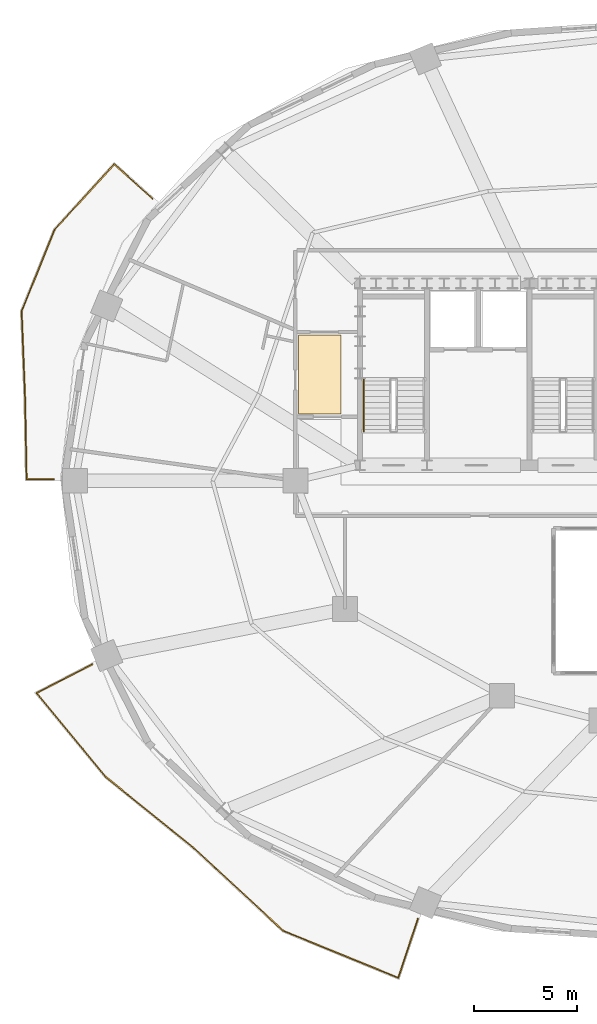
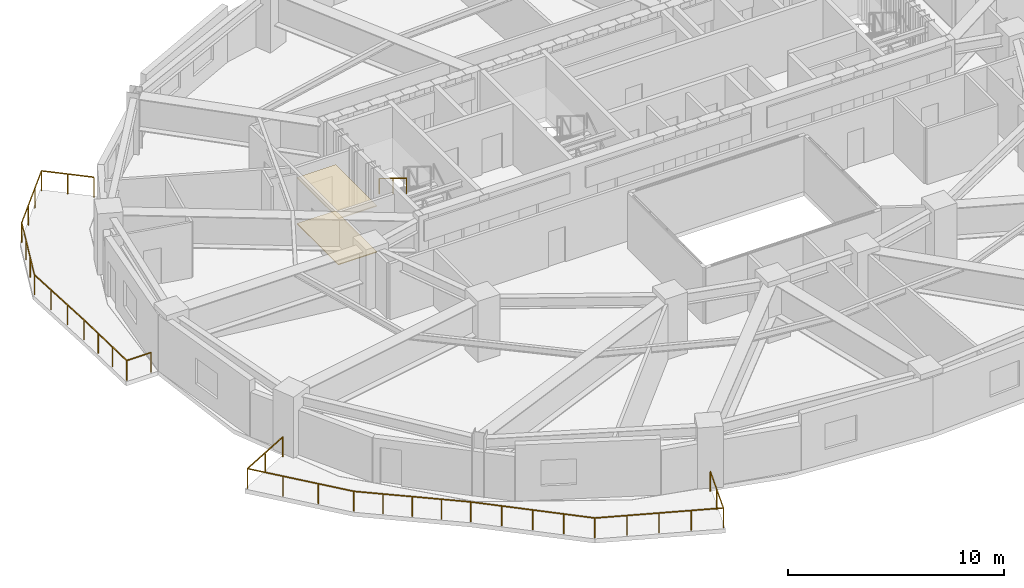
# One storey, part 10 of 13: 3 railings, 2 coverings.
"""IFC4 building model written with IfcOpenShell, lengths in metres."""

from ifc_helpers import new_model, si_unit, direction, frame, origin, origin_2d, place, context, subcontext, project, spatial, polyline, rectangle, outline, extrude, material, layer, layer_set, type_object, element, save


model = new_model("IFC4")

# Units and contexts
model_context = context("Model", 3, precision=1e-05, world=origin(), true_north=direction((0.0, 1.0)))
body_context = subcontext(model_context, "Body", "Model", "MODEL_VIEW")
ifc_project = project(units=[si_unit("LENGTHUNIT", "METRE"), si_unit("AREAUNIT", "SQUARE_METRE"), si_unit("VOLUMEUNIT", "CUBIC_METRE"), si_unit("PLANEANGLEUNIT", "RADIAN"), si_unit("MASSUNIT", "GRAM", prefix="KILO")], contexts=[model_context])

# Site, building, storey
site_placement = place(None, origin())
site = spatial("IfcSite", under=ifc_project, at=site_placement, CompositionType="ELEMENT")
building_placement = place(site_placement, origin())
building = spatial("IfcBuilding", under=site, at=building_placement, Name="Haldorwick Loom Tower", CompositionType="ELEMENT")
storey_placement = place(building_placement, frame((0.0, 0.0, 127.699951171875)))
storey = spatial("IfcBuildingStorey", under=building, at=storey_placement, Name="L34", CompositionType="ELEMENT", Elevation=127.699951171875)

# Coverings
ifc_material_1 = material(Name="Mineral Fibre Acoustic Ceiling Tile")
ifc_layer_1 = layer(ifc_material_1, 0.054931640625, Name="Mineral Fibre Acoustic Ceiling Tile")
ifc_layer_set_1 = layer_set([ifc_layer_1], Name="Mineral Fibre Acoustic Ceiling Tile")
covering_type_1 = type_object("IfcCoveringType", Name="ARC-COV-CEIL2", PredefinedType="CEILING", material=ifc_layer_set_1)
covering_1_placement = place(storey_placement, frame((0.0, 0.0, 2.594970703125)))
element("IfcCovering", 1, at=covering_1_placement, inside=storey, type_object=covering_type_1, Name="L34 Acoustic Suspended Ceiling 2", PredefinedType="CEILING", context=body_context, shape_type="SweptSolid", body=[
    extrude(outline(polyline([(18.93994140625, 33.06005859375), (18.93994140625, 29.239990234375), (21.0, 29.239990234375), (21.0, 33.06005859375), (18.93994140625, 33.06005859375)])), origin(), (0.0, 0.0, 1.0), 0.05517578125),
])
ifc_material_2 = material(Name="Polished Aggregate Terrazzo Finish")
ifc_layer_2 = layer(ifc_material_2, 0.044921875, Name="Polished Aggregate Terrazzo Finish")
ifc_layer_set_2 = layer_set([ifc_layer_2], Name="Polished Aggregate Terrazzo Finish")
covering_type_2 = type_object("IfcCoveringType", Name="ARC-COV-FLOOR2", PredefinedType="FLOORING", material=ifc_layer_set_2)
covering_2_placement = place(storey_placement, origin())
element("IfcCovering", 2, at=covering_2_placement, inside=storey, type_object=covering_type_2, Name="L34 Floor Finish 2", PredefinedType="FLOORING", context=body_context, shape_type="SweptSolid", body=[
    extrude(outline(polyline([(18.93994140625, 33.06005859375), (18.93994140625, 29.239990234375), (21.0, 29.239990234375), (21.0, 33.06005859375), (18.93994140625, 33.06005859375)])), origin(), (0.0, 0.0, 1.0), 0.045166015625),
])

# Railings
ifc_material_3 = material(Name="Galvanized Steel CSA G40.21 350W", Category="steel")
railing_type_1 = type_object("IfcRailingType", Name="ARC-RLG-BAL115", PredefinedType="BALUSTRADE", material=ifc_material_3)
railing_1_placement = place(storey_placement, frame((24.729248046875, 4.8056640625, 0.0)))
element("IfcRailing", 3, at=railing_1_placement, inside=storey, type_object=railing_type_1, Name="L34 Outdoor Terrace Guardrail SLB-L34-BAL_SW-1", PredefinedType="BALUSTRADE", context=body_context, shape_type="SweptSolid", body=[
    extrude(rectangle(XDim=0.048095703125, YDim=0.048095703125, at=origin_2d()), frame((0.0, 0.0, 1.1259765625), z_axis=(-0.316422381022, -0.948618404201, 0.0), x_axis=(0.948618404201, -0.316422381022, 0.0)), (0.0, 0.0, 1.0), 3.0107421875),
    extrude(rectangle(XDim=0.048095703125, YDim=0.048095703125, at=origin_2d()), frame((-0.95263671875, -2.85595703125, 1.1259765625), z_axis=(-0.925561844607, 0.378596449807, 0.0), x_axis=(-0.378596449807, -0.925561844607, 0.0)), (0.0, 0.0, 1.0), 6.007568359375),
    extrude(rectangle(XDim=0.048095703125, YDim=0.048095703125, at=origin_2d()), frame((-6.512939453125, -0.58154296875, 1.1259765625), z_axis=(-0.734510984815, 0.678596797212, 0.0), x_axis=(-0.678596797212, -0.734510984815, 0.0)), (0.0, 0.0, 1.0), 5.89013671875),
    extrude(rectangle(XDim=0.048095703125, YDim=0.048095703125, at=origin_2d()), frame((-10.83935546875, 3.41552734375, 1.1259765625), z_axis=(-0.752576694707, 0.658504607869, 0.0), x_axis=(-0.658504607869, -0.752576694707, 0.0)), (0.0, 0.0, 1.0), 0.005126953125),
    extrude(rectangle(XDim=0.048095703125, YDim=0.048095703125, at=origin_2d()), frame((-10.84326171875, 3.4189453125, 1.1259765625), z_axis=(-0.777254203953, 0.62918669919, 0.0), x_axis=(-0.62918669919, -0.777254203953, 0.0)), (0.0, 0.0, 1.0), 5.482421875),
    extrude(rectangle(XDim=0.048095703125, YDim=0.048095703125, at=origin_2d()), frame((-15.1044921875, 6.868408203125, 1.1259765625), z_axis=(-0.636953460821, 0.770902256287, 0.0), x_axis=(-0.770902256287, -0.636953460821, 0.0)), (0.0, 0.0, 1.0), 5.256591796875),
    extrude(rectangle(XDim=0.048095703125, YDim=0.048095703125, at=origin_2d()), frame((-18.45263671875, 10.920654296875, 1.1259765625), z_axis=(0.888445041352, 0.458983015478, 0.0), x_axis=(-0.458983015478, 0.888445041352, 0.0)), (0.0, 0.0, 1.0), 3.03515625),
    extrude(rectangle(XDim=0.0419921875, YDim=0.0419921875, at=origin_2d()), origin(), (0.0, 0.0, 1.0), 1.101806640625),
    extrude(rectangle(XDim=0.0419921875, YDim=0.0419921875, at=origin_2d()), frame((-0.476318359375, -1.427978515625, 0.0)), (0.0, 0.0, 1.0), 1.101806640625),
    extrude(rectangle(XDim=0.0419921875, YDim=0.0419921875, at=origin_2d()), frame((-0.95263671875, -2.85595703125, 0.0)), (0.0, 0.0, 1.0), 1.101806640625),
    extrude(rectangle(XDim=0.0419921875, YDim=0.0419921875, at=origin_2d()), frame((-2.3427734375, -2.287353515625, 0.0)), (0.0, 0.0, 1.0), 1.101806640625),
    extrude(rectangle(XDim=0.0419921875, YDim=0.0419921875, at=origin_2d()), frame((-3.73291015625, -1.71875, 0.0)), (0.0, 0.0, 1.0), 1.101806640625),
    extrude(rectangle(XDim=0.0419921875, YDim=0.0419921875, at=origin_2d()), frame((-5.122802734375, -1.150146484375, 0.0)), (0.0, 0.0, 1.0), 1.101806640625),
    extrude(rectangle(XDim=0.0419921875, YDim=0.0419921875, at=origin_2d()), frame((-6.512939453125, -0.58154296875, 0.0)), (0.0, 0.0, 1.0), 1.101806640625),
    extrude(rectangle(XDim=0.0419921875, YDim=0.0419921875, at=origin_2d()), frame((-7.594482421875, 0.417724609375, 0.0)), (0.0, 0.0, 1.0), 1.101806640625),
    extrude(rectangle(XDim=0.0419921875, YDim=0.0419921875, at=origin_2d()), frame((-8.67626953125, 1.4169921875, 0.0)), (0.0, 0.0, 1.0), 1.101806640625),
    extrude(rectangle(XDim=0.0419921875, YDim=0.0419921875, at=origin_2d()), frame((-9.7578125, 2.416259765625, 0.0)), (0.0, 0.0, 1.0), 1.101806640625),
    extrude(rectangle(XDim=0.0419921875, YDim=0.0419921875, at=origin_2d()), frame((-10.83935546875, 3.41552734375, 0.0)), (0.0, 0.0, 1.0), 1.101806640625),
    extrude(rectangle(XDim=0.0419921875, YDim=0.0419921875, at=origin_2d()), frame((-11.90869140625, 4.28125, 0.0)), (0.0, 0.0, 1.0), 1.101806640625),
    extrude(rectangle(XDim=0.0419921875, YDim=0.0419921875, at=origin_2d()), frame((-12.973876953125, 5.1435546875, 0.0)), (0.0, 0.0, 1.0), 1.101806640625),
    extrude(rectangle(XDim=0.0419921875, YDim=0.0419921875, at=origin_2d()), frame((-14.0390625, 6.006103515625, 0.0)), (0.0, 0.0, 1.0), 1.101806640625),
    extrude(rectangle(XDim=0.0419921875, YDim=0.0419921875, at=origin_2d()), frame((-15.1044921875, 6.868408203125, 0.0)), (0.0, 0.0, 1.0), 1.101806640625),
    extrude(rectangle(XDim=0.0419921875, YDim=0.0419921875, at=origin_2d()), frame((-16.220458984375, 8.21923828125, 0.0)), (0.0, 0.0, 1.0), 1.101806640625),
    extrude(rectangle(XDim=0.0419921875, YDim=0.0419921875, at=origin_2d()), frame((-17.336669921875, 9.56982421875, 0.0)), (0.0, 0.0, 1.0), 1.101806640625),
    extrude(rectangle(XDim=0.0419921875, YDim=0.0419921875, at=origin_2d()), frame((-18.45263671875, 10.920654296875, 0.0)), (0.0, 0.0, 1.0), 1.101806640625),
    extrude(rectangle(XDim=0.0419921875, YDim=0.0419921875, at=origin_2d()), frame((-17.1044921875, 11.6171875, 0.0)), (0.0, 0.0, 1.0), 1.101806640625),
    extrude(rectangle(XDim=0.0419921875, YDim=0.0419921875, at=origin_2d()), frame((-15.756103515625, 12.313720703125, 0.0)), (0.0, 0.0, 1.0), 1.101806640625),
])
railing_2_placement = place(storey_placement, frame((7.09912109375, 26.080078125, 0.0)))
element("IfcRailing", 4, at=railing_2_placement, inside=storey, type_object=railing_type_1, Name="L34 Outdoor Terrace Guardrail SLB-L34-BAL_WNW-1", PredefinedType="BALUSTRADE", context=body_context, shape_type="SweptSolid", body=[
    extrude(rectangle(XDim=0.048095703125, YDim=0.048095703125, at=origin_2d()), frame((0.0, 0.0, 1.1259765625), z_axis=(-1.0, 0.0, 0.0), x_axis=(0.0, -1.0, 0.0)), (0.0, 0.0, 1.0), 1.3046875),
    extrude(rectangle(XDim=0.048095703125, YDim=0.048095703125, at=origin_2d()), frame((-1.3046875, 0.0, 1.1259765625), z_axis=(-0.018706157389, 0.99982502453, 0.0), x_axis=(-0.99982502453, -0.018706157389, 0.0)), (0.0, 0.0, 1.0), 3.837158203125),
    extrude(rectangle(XDim=0.048095703125, YDim=0.048095703125, at=origin_2d()), frame((-1.37646484375, 3.83642578125, 1.1259765625), z_axis=(-0.141421356237, 0.989949493661, 0.0), x_axis=(-0.989949493661, -0.141421356237, 0.0)), (0.0, 0.0, 1.0), 0.001708984375),
    extrude(rectangle(XDim=0.048095703125, YDim=0.048095703125, at=origin_2d()), frame((-1.376708984375, 3.838134765625, 1.1259765625), z_axis=(-0.039064224332, 0.999236701877, 0.0), x_axis=(-0.999236701877, -0.039064224332, 0.0)), (0.0, 0.0, 1.0), 4.29345703125),
    extrude(rectangle(XDim=0.048095703125, YDim=0.048095703125, at=origin_2d()), frame((-1.54443359375, 8.12841796875, 1.1259765625), z_axis=(0.375421536882, 0.926854179278, 0.0), x_axis=(-0.926854179278, 0.375421536882, 0.0)), (0.0, 0.0, 1.0), 4.2568359375),
    extrude(rectangle(XDim=0.048095703125, YDim=0.048095703125, at=origin_2d()), frame((0.0537109375, 12.073974609375, 1.1259765625), z_axis=(0.673469917187, 0.739214630972, 0.0), x_axis=(-0.739214630972, 0.673469917187, 0.0)), (0.0, 0.0, 1.0), 4.28173828125),
    extrude(rectangle(XDim=0.048095703125, YDim=0.048095703125, at=origin_2d()), frame((2.937255859375, 15.239013671875, 1.1259765625), z_axis=(0.743352751679, -0.668899608739, 0.0), x_axis=(0.668899608739, 0.743352751679, 0.0)), (0.0, 0.0, 1.0), 2.485595703125),
    extrude(rectangle(XDim=0.0419921875, YDim=0.0419921875, at=origin_2d()), origin(), (0.0, 0.0, 1.0), 1.101806640625),
    extrude(rectangle(XDim=0.0419921875, YDim=0.0419921875, at=origin_2d()), frame((-1.3046875, 0.0, 0.0)), (0.0, 0.0, 1.0), 1.101806640625),
    extrude(rectangle(XDim=0.0419921875, YDim=0.0419921875, at=origin_2d()), frame((-1.32861328125, 1.27880859375, 0.0)), (0.0, 0.0, 1.0), 1.101806640625),
    extrude(rectangle(XDim=0.0419921875, YDim=0.0419921875, at=origin_2d()), frame((-1.3525390625, 2.5576171875, 0.0)), (0.0, 0.0, 1.0), 1.101806640625),
    extrude(rectangle(XDim=0.0419921875, YDim=0.0419921875, at=origin_2d()), frame((-1.37646484375, 3.83642578125, 0.0)), (0.0, 0.0, 1.0), 1.101806640625),
    extrude(rectangle(XDim=0.0419921875, YDim=0.0419921875, at=origin_2d()), frame((-1.4326171875, 5.268310546875, 0.0)), (0.0, 0.0, 1.0), 1.101806640625),
    extrude(rectangle(XDim=0.0419921875, YDim=0.0419921875, at=origin_2d()), frame((-1.488525390625, 6.6982421875, 0.0)), (0.0, 0.0, 1.0), 1.101806640625),
    extrude(rectangle(XDim=0.0419921875, YDim=0.0419921875, at=origin_2d()), frame((-1.54443359375, 8.12841796875, 0.0)), (0.0, 0.0, 1.0), 1.101806640625),
    extrude(rectangle(XDim=0.0419921875, YDim=0.0419921875, at=origin_2d()), frame((-1.01171875, 9.443603515625, 0.0)), (0.0, 0.0, 1.0), 1.101806640625),
    extrude(rectangle(XDim=0.0419921875, YDim=0.0419921875, at=origin_2d()), frame((-0.47900390625, 10.7587890625, 0.0)), (0.0, 0.0, 1.0), 1.101806640625),
    extrude(rectangle(XDim=0.0419921875, YDim=0.0419921875, at=origin_2d()), frame((0.0537109375, 12.073974609375, 0.0)), (0.0, 0.0, 1.0), 1.101806640625),
    extrude(rectangle(XDim=0.0419921875, YDim=0.0419921875, at=origin_2d()), frame((1.014892578125, 13.12890625, 0.0)), (0.0, 0.0, 1.0), 1.101806640625),
    extrude(rectangle(XDim=0.0419921875, YDim=0.0419921875, at=origin_2d()), frame((1.97607421875, 14.18408203125, 0.0)), (0.0, 0.0, 1.0), 1.101806640625),
    extrude(rectangle(XDim=0.0419921875, YDim=0.0419921875, at=origin_2d()), frame((2.937255859375, 15.239013671875, 0.0)), (0.0, 0.0, 1.0), 1.101806640625),
    extrude(rectangle(XDim=0.0419921875, YDim=0.0419921875, at=origin_2d()), frame((3.861083984375, 14.40771484375, 0.0)), (0.0, 0.0, 1.0), 1.101806640625),
    extrude(rectangle(XDim=0.0419921875, YDim=0.0419921875, at=origin_2d()), frame((4.784912109375, 13.576416015625, 0.0)), (0.0, 0.0, 1.0), 1.101806640625),
])
ifc_material_4 = material(Name="Steel CSA G40.21 350W", Category="steel")
railing_type_2 = type_object("IfcRailingType", Name="ARC-RLG-HAND092", PredefinedType="HANDRAIL", material=ifc_material_4)
railing_3_placement = place(storey_placement, frame((22.10009765625, 30.919921875, 1.8974609375)))
element("IfcRailing", 5, at=railing_3_placement, inside=storey, type_object=railing_type_2, Name="L34 ST-01 stair handrail 2", PredefinedType="HANDRAIL", context=body_context, shape_type="SweptSolid", body=[
    extrude(rectangle(XDim=0.048095703125, YDim=0.048095703125, at=origin_2d()), frame((0.0, 0.0, 0.8759765625), z_axis=(0.0, -0.851400495292, 0.524516154772), x_axis=(1.0, 0.0, 0.0)), (0.0, 0.0, 1.0), 2.9599609375),
    extrude(rectangle(XDim=0.0419921875, YDim=0.0419921875, at=origin_2d()), origin(), (0.0, 0.0, 1.0), 0.851806640625),
    extrude(rectangle(XDim=0.0419921875, YDim=0.0419921875, at=origin_2d()), frame((0.0, -1.260009765625, 0.7763671875)), (0.0, 0.0, 1.0), 0.851806640625),
    extrude(rectangle(XDim=0.0419921875, YDim=0.0419921875, at=origin_2d()), frame((0.0, -2.52001953125, 1.552490234375)), (0.0, 0.0, 1.0), 0.851806640625),
])

save(model, "model.ifc")
